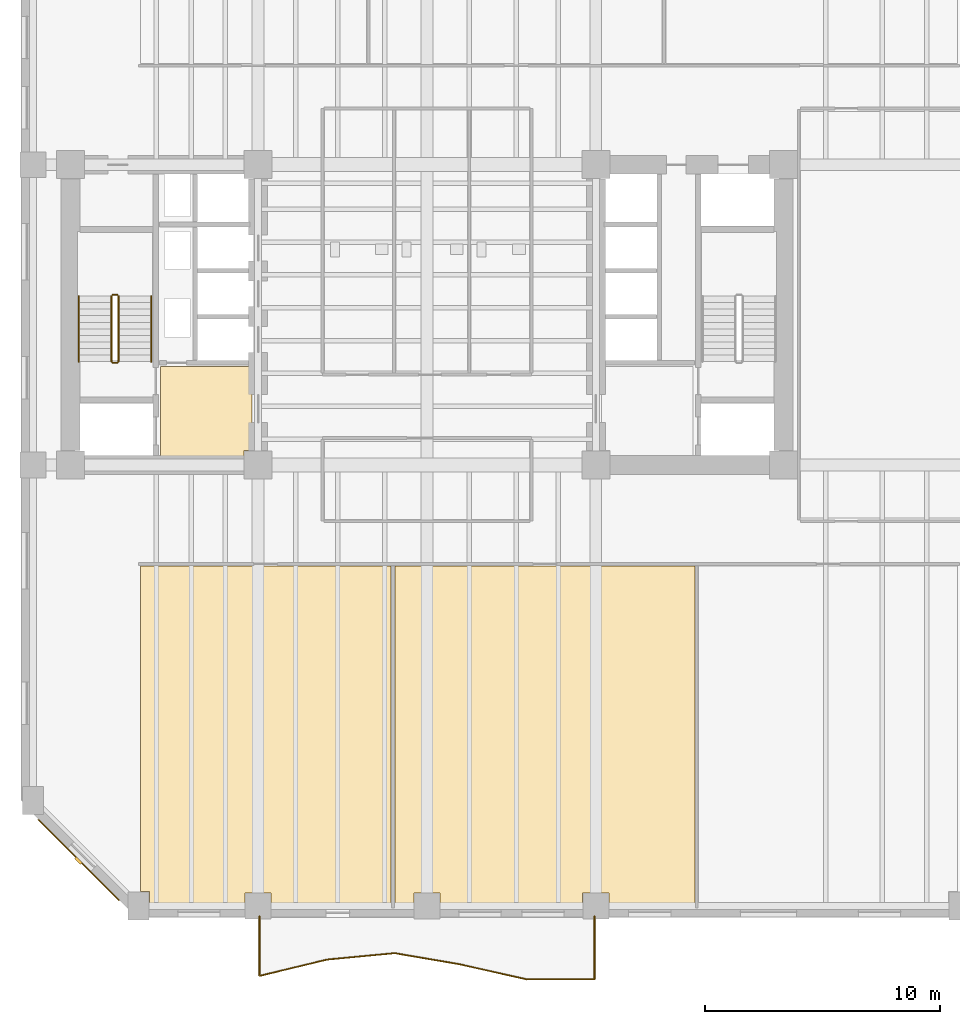
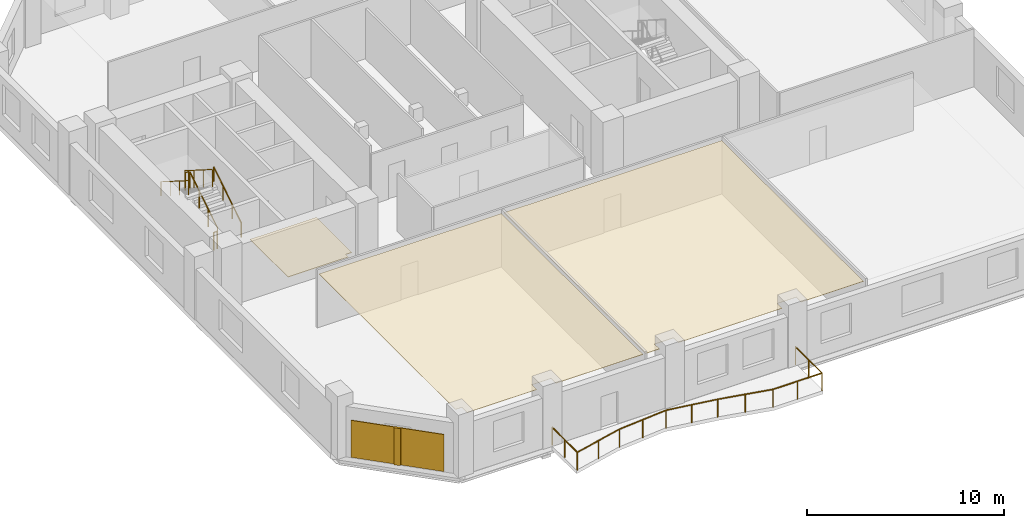
# One storey, part 6 of 9: 7 railings, 4 coverings, 1 shading device.
"""IFC4 building model written with IfcOpenShell, lengths in metres."""

import ifcopenshell
import ifcopenshell.guid

model = None  # the IFC model being written
_history = None  # IfcOwnerHistory: only IFC2X3 demands one
_inside = {}  # id of a spatial element -> (the spatial element, [elements in it])
_under = {}  # id of a project, library or spatial element -> (it, [spatial elements below it])
_declared = {}  # id of a project -> (the project, [libraries it declares])
_typed = {}  # id of a type object -> (the type object, [elements of that type])
_made_of = {}  # id of a material, layer set ... -> (it, [elements and type objects made of it])


def new_model(schema):
    """Start an empty IFC model of exactly this schema.

    Asked for "IFC4X3", IfcOpenShell would pick the latest addendum, in which some entities
    have other attributes; the version numbers below select the first issue.
    IFC2X3 requires an IfcOwnerHistory on every rooted entity: one is made here for all.
    """
    global model, _history
    if schema == "IFC4X3":
        model = ifcopenshell.file(schema_version=(4, 3, 0, 0))
    else:
        model = ifcopenshell.file(schema=schema)
    _inside.clear()
    _under.clear()
    _declared.clear()
    _typed.clear()
    _made_of.clear()
    _history = None
    if model.schema == "IFC2X3":
        org = make("IfcOrganization", Name="unknown")
        user = make(
            "IfcPersonAndOrganization",
            ThePerson=make("IfcPerson", FamilyName="unknown"),
            TheOrganization=org,
        )
        app = make(
            "IfcApplication",
            ApplicationDeveloper=org,
            Version="unknown",
            ApplicationFullName="unknown",
            ApplicationIdentifier="unknown",
        )
        _history = make(
            "IfcOwnerHistory",
            OwningUser=user,
            OwningApplication=app,
            ChangeAction="ADDED",
            CreationDate=0,
        )
    return model


def make(cls, **values):
    """One entity of the class cls with the attributes given. An attribute that is None is left unset."""
    return model.create_entity(
        cls, **{name: value for name, value in values.items() if value is not None}
    )


def rooted(cls, **values):
    """An entity with a GlobalId (a new one), such as an element, a storey or a relation."""
    return make(cls, GlobalId=ifcopenshell.guid.new(), OwnerHistory=_history, **values)


def si_unit(unit_type, name, prefix=None):
    """IfcSIUnit, for example si_unit("LENGTHUNIT", "METRE", prefix="MILLI")."""
    return make("IfcSIUnit", UnitType=unit_type, Prefix=prefix, Name=name)


def assignment(units):
    """IfcUnitAssignment: the units of a project."""
    return None if units is None else make("IfcUnitAssignment", Units=units)


def point(xyz):
    """IfcCartesianPoint."""
    return None if xyz is None else make("IfcCartesianPoint", Coordinates=xyz)


def direction(xyz):
    """IfcDirection."""
    return None if xyz is None else make("IfcDirection", DirectionRatios=xyz)


def frame(location, z_axis=None, x_axis=None):
    """IfcAxis2Placement3D, a coordinate frame: its origin and axes. An axis left out is left unset."""
    return make(
        "IfcAxis2Placement3D",
        Location=point(location),
        Axis=direction(z_axis),
        RefDirection=direction(x_axis),
    )


def frame_2d(location, x_axis=None):
    """IfcAxis2Placement2D, a coordinate frame in the plane: its origin and x axis."""
    return make(
        "IfcAxis2Placement2D", Location=point(location), RefDirection=direction(x_axis)
    )


def origin():
    """The frame at (0, 0, 0) with its axes left unset."""
    return frame((0.0, 0.0, 0.0))


def origin_2d():
    """The frame at (0, 0) in the plane with its x axis left unset."""
    return frame_2d((0.0, 0.0))


def place(relative_to, where):
    """IfcLocalPlacement: puts the frame where relative to a parent placement (None: the world)."""
    return make(
        "IfcLocalPlacement", PlacementRelTo=relative_to, RelativePlacement=where
    )


def context(
    kind, dimensions, precision=None, world=None, true_north=None, identifier=None
):
    """IfcGeometricRepresentationContext, for example the 3D "Model" context."""
    return make(
        "IfcGeometricRepresentationContext",
        ContextIdentifier=identifier,
        ContextType=kind,
        CoordinateSpaceDimension=dimensions,
        Precision=precision,
        WorldCoordinateSystem=world,
        TrueNorth=true_north,
    )


def subcontext(parent, identifier, kind, view, scale=None):
    """IfcGeometricRepresentationSubContext, for example "Body" below "Model"."""
    return make(
        "IfcGeometricRepresentationSubContext",
        ContextIdentifier=identifier,
        ContextType=kind,
        ParentContext=parent,
        TargetScale=scale,
        TargetView=view,
    )


def project(units=None, contexts=None):
    """IfcProject with its units and contexts."""
    return rooted(
        "IfcProject",
        Name="project",
        RepresentationContexts=contexts,
        UnitsInContext=assignment(units),
    )


def spatial(cls, under=None, at=None, **own):
    """A site, building, storey or space (cls), placed at a placement, below another one or the project."""
    s = rooted(cls, ObjectPlacement=at, **own)
    if under is not None:
        _under.setdefault(under.id(), (under, []))[1].append(s)
    return s


def polyline(points):
    """IfcPolyline through the points."""
    return make("IfcPolyline", Points=[point(p) for p in points])


def profile(cls, at=None, kind="AREA", **sizes):
    """A parametric profile (cls). Its sizes go by their IFC names, for example OverallWidth=200.0."""
    return make(cls, ProfileType=kind, Position=at, **sizes)


def rectangle(**sizes):
    """IfcRectangleProfileDef."""
    return profile("IfcRectangleProfileDef", **sizes)


def circle(**sizes):
    """IfcCircleProfileDef."""
    return profile("IfcCircleProfileDef", **sizes)


def outline(outer, holes=None, kind="AREA"):
    """IfcArbitraryClosedProfileDef: a profile drawn as a closed curve; with holes, ...WithVoids."""
    if holes is None:
        return make("IfcArbitraryClosedProfileDef", ProfileType=kind, OuterCurve=outer)
    return make(
        "IfcArbitraryProfileDefWithVoids",
        ProfileType=kind,
        OuterCurve=outer,
        InnerCurves=holes,
    )


def extrude(swept, where, along, depth):
    """IfcExtrudedAreaSolid: the profile swept, set in the frame where, extruded along a direction by depth."""
    return make(
        "IfcExtrudedAreaSolid",
        SweptArea=swept,
        Position=where,
        ExtrudedDirection=direction(along),
        Depth=depth,
    )


def shape(context_of_items, identifier, shape_type, items):
    """IfcShapeRepresentation: the items that make up one representation, for example the "Body"."""
    return make(
        "IfcShapeRepresentation",
        ContextOfItems=context_of_items,
        RepresentationIdentifier=identifier,
        RepresentationType=shape_type,
        Items=items,
    )


def material(Name=None, Category=None):
    """IfcMaterial."""
    return make("IfcMaterial", Name=Name, Category=Category)


def layer(
    of_material, thickness, ventilated=None, Name=None, Category=None, Priority=None
):
    """IfcMaterialLayer: one layer of a wall or slab, of a material (None: an air gap)."""
    return make(
        "IfcMaterialLayer",
        Material=of_material,
        LayerThickness=thickness,
        IsVentilated=ventilated,
        Name=Name,
        Category=Category,
        Priority=Priority,
    )


def layer_set(layers, Name=None):
    """IfcMaterialLayerSet."""
    return make("IfcMaterialLayerSet", MaterialLayers=layers, LayerSetName=Name)


def made_of(thing, what):
    """Note that an element or type object is made of a material, layer set ...; save() writes the relation."""
    if what is not None:
        _made_of.setdefault(what.id(), (what, []))[1].append(thing)
    return thing


def type_object(cls, material=None, **own):
    """A type object (cls), such as IfcWallType, which elements share."""
    return made_of(rooted(cls, **own), material)


def element(
    cls,
    number,
    at=None,
    inside=None,
    cuts=None,
    type_object=None,
    material=None,
    context=None,
    identifier="Body",
    shape_type=None,
    held_by="IfcProductDefinitionShape",
    body=None,
    shapes=None,
    **own,
):
    """One element of the class cls, such as IfcWall. Its Tag is "e" and its number.

    at: its placement. inside: the storey or other place that contains it. cuts: it is an
    opening in that element (IfcRelVoidsElement). A single representation is given by context,
    identifier, shape_type and body (its items); several are given by shapes. held_by: the class
    of the entity that holds the representations. save() writes the other relations.
    """
    e = rooted(cls, Tag="e%d" % number, ObjectPlacement=at, **own)
    if body is not None:
        shapes = [shape(context, identifier, shape_type, body)]
    if shapes is not None:
        e.Representation = make(held_by, Representations=shapes)
    if inside is not None:
        _inside.setdefault(inside.id(), (inside, []))[1].append(e)
    if cuts is not None:
        rooted(
            "IfcRelVoidsElement", RelatingBuildingElement=cuts, RelatedOpeningElement=e
        )
    if type_object is not None:
        _typed.setdefault(type_object.id(), (type_object, []))[1].append(e)
    return made_of(e, material)


def aggregate(whole, parts):
    """IfcRelAggregates: a whole, such as a stair, and the parts it consists of."""
    return rooted("IfcRelAggregates", RelatingObject=whole, RelatedObjects=parts)


def save(model, path):
    """Write the relations noted so far, then the file.

    IfcRelAggregates (storeys below a building ...), IfcRelContainedInSpatialStructure (elements
    in a storey), IfcRelDefinesByType, IfcRelAssociatesMaterial and IfcRelDeclares: one each for
    every whole, place, type object, material and project.
    """
    for whole, parts in _under.values():
        aggregate(whole, parts)
    for where, things in _inside.values():
        rooted(
            "IfcRelContainedInSpatialStructure",
            RelatedElements=things,
            RelatingStructure=where,
        )
    for kind, things in _typed.values():
        rooted("IfcRelDefinesByType", RelatedObjects=things, RelatingType=kind)
    for what, things in _made_of.values():
        rooted("IfcRelAssociatesMaterial", RelatedObjects=things, RelatingMaterial=what)
    for by, libraries in _declared.values():
        rooted("IfcRelDeclares", RelatingContext=by, RelatedDefinitions=libraries)
    model.write(path)


model = new_model("IFC4")

# Units and contexts
model_context = context("Model", 3, precision=1e-05, world=origin(), true_north=direction((0.0, 1.0)))
body_context = subcontext(model_context, "Body", "Model", "MODEL_VIEW")
ifc_project = project(units=[si_unit("LENGTHUNIT", "METRE"), si_unit("AREAUNIT", "SQUARE_METRE"), si_unit("VOLUMEUNIT", "CUBIC_METRE"), si_unit("PLANEANGLEUNIT", "RADIAN"), si_unit("MASSUNIT", "GRAM", prefix="KILO")], contexts=[model_context])

# Site, building, storey
site_placement = place(None, origin())
site = spatial("IfcSite", under=ifc_project, at=site_placement, CompositionType="ELEMENT")
building_placement = place(site_placement, origin())
building = spatial("IfcBuilding", under=site, at=building_placement, Name="Kranthara Brick Stack", CompositionType="ELEMENT")
storey_placement = place(building_placement, frame((0.0, 0.0, 55.5)))
storey = spatial("IfcBuildingStorey", under=building, at=storey_placement, Name="L13", CompositionType="ELEMENT", Elevation=55.5)

# Coverings
ifc_material_1 = material(Name="Perforated mineral-fibre acoustic ceiling tile", Category="other")
ifc_layer_1 = layer(ifc_material_1, 0.02490234375)
ifc_layer_set_1 = layer_set([ifc_layer_1], Name="Perforated mineral-fibre acoustic ceiling tile")
covering_type_1 = type_object("IfcCoveringType", Name="COV-CEIL-ACOUSTIC", PredefinedType="CEILING", material=ifc_layer_set_1)
covering_1_placement = place(storey_placement, frame((0.0, 0.0, 3.330078125)))
element("IfcCovering", 1, at=covering_1_placement, inside=storey, type_object=covering_type_1, Name="L13 L13 Open Plan Workspace 1 Acoustic Ceiling", PredefinedType="CEILING", context=body_context, shape_type="SweptSolid", body=[
    extrude(outline(polyline([(26.469970703125, 16.47998046875), (26.469970703125, 2.070068359375), (21.360107421875, 2.070068359375), (21.360107421875, 2.56005859375), (20.239990234375, 2.56005859375), (20.239990234375, 2.070068359375), (16.159912109375, 2.070068359375), (16.159912109375, 2.610107421875), (15.780029296875, 2.610107421875), (15.780029296875, 16.47998046875), (26.469970703125, 16.47998046875)])), origin(), (0.0, 0.0, 1.0), 0.02490234375),
])
covering_2_placement = place(storey_placement, frame((0.0, 0.0, 3.330078125)))
element("IfcCovering", 2, at=covering_2_placement, inside=storey, type_object=covering_type_1, Name="L13 L13 Boardroom 2 Acoustic Ceiling", PredefinedType="CEILING", context=body_context, shape_type="SweptSolid", body=[
    extrude(outline(polyline([(26.6298828125, 16.47998046875), (39.419921875, 16.47998046875), (39.419921875, 2.070068359375), (35.760009765625, 2.070068359375), (35.760009765625, 2.56005859375), (34.639892578125, 2.56005859375), (34.639892578125, 2.070068359375), (28.56005859375, 2.070068359375), (28.56005859375, 2.56005859375), (27.43994140625, 2.56005859375), (27.43994140625, 2.070068359375), (26.6298828125, 2.070068359375), (26.6298828125, 16.47998046875)])), origin(), (0.0, 0.0, 1.0), 0.02490234375),
])
ifc_material_2 = material(Name="Warm buff kiln-fired brick slip rainscreen", Category="masonry")
ifc_layer_2 = layer(ifc_material_2, 0.044921875)
ifc_layer_set_2 = layer_set([ifc_layer_2], Name="Warm buff kiln-fired brick slip rainscreen")
covering_type_2 = type_object("IfcCoveringType", Name="COV-CLAD-BRICK", PredefinedType="CLADDING", material=ifc_layer_set_2)
covering_3_placement = place(storey_placement, frame((13.156494140625, 3.95654296875, 0.0498046875), z_axis=(0.0, 0.0, 1.0), x_axis=(-0.707106781187, 0.707106781187, 0.0)))
element("IfcCovering", 3, at=covering_3_placement, inside=storey, type_object=covering_type_2, Name="L13 Chamfer Brick Rainscreen Cladding SW", PredefinedType="CLADDING", context=body_context, shape_type="SweptSolid", body=[
    extrude(rectangle(XDim=4.876953125, YDim=0.044921875, at=origin_2d()), origin(), (0.0, 0.0, 1.0), 2.300048828125),
])
ifc_material_3 = material(Name="Honed terrazzo and porcelain floor finish", Category="stone")
ifc_layer_3 = layer(ifc_material_3, 0.030029296875)
ifc_layer_set_3 = layer_set([ifc_layer_3], Name="Honed terrazzo and porcelain floor finish")
covering_type_3 = type_object("IfcCoveringType", Name="COV-FLOR-STONE", PredefinedType="FLOORING", material=ifc_layer_set_3)
covering_4_placement = place(storey_placement, origin())
element("IfcCovering", 4, at=covering_4_placement, inside=storey, type_object=covering_type_3, Name="L13 Lift Lobby Stone Flooring", PredefinedType="FLOORING", context=body_context, shape_type="SweptSolid", body=[
    extrude(outline(polyline([(16.64990234375, 21.14990234375), (16.64990234375, 25.0), (20.550048828125, 25.0), (20.550048828125, 21.409912109375), (20.18994140625, 21.409912109375), (20.18994140625, 21.14990234375), (16.64990234375, 21.14990234375)])), origin(), (0.0, 0.0, 1.0), 0.030029296875),
])

# Railings
ifc_material_4 = material(Name="Bronze anodised aluminium and laminated glass balustrade", Category="aluminium")
railing_type_1 = type_object("IfcRailingType", Name="RL-BALC-1120", PredefinedType="BALUSTRADE", material=ifc_material_4)
railing_1_placement = place(storey_placement, frame((35.139892578125, 1.56005859375, 0.0)))
element("IfcRailing", 5, at=railing_1_placement, inside=storey, type_object=railing_type_1, Name="L13 South Rippling Balcony Balustrade", PredefinedType="BALUSTRADE", context=body_context, shape_type="SweptSolid", body=[
    extrude(circle(Radius=0.02392578125, at=origin_2d()), frame((0.0, 0.0, 1.09619140625), z_axis=(0.000272430066, -0.999999962891, 0.0), x_axis=(0.999999962891, 0.000272430066, 0.0)), (0.0, 0.0, 1.0), 2.6884765625),
    extrude(circle(Radius=0.02392578125, at=origin_2d()), frame((0.000732421875, -2.6884765625, 1.09619140625), z_axis=(-0.999997752635, -0.002120076647, 0.0), x_axis=(0.002120076647, -0.999997752635, 0.0)), (0.0, 0.0, 1.0), 2.87890625),
    extrude(circle(Radius=0.02392578125, at=origin_2d()), frame((-2.878173828125, -2.694580078125, 1.09619140625), z_axis=(-0.975646939441, 0.219346870413, 0.0), x_axis=(-0.219346870413, -0.975646939441, 0.0)), (0.0, 0.0, 1.0), 2.95166015625),
    extrude(circle(Radius=0.02392578125, at=origin_2d()), frame((-5.758056640625, -2.047119140625, 1.09619140625), z_axis=(-0.985729020819, 0.168339827475, 0.0), x_axis=(-0.168339827475, -0.985729020819, 0.0)), (0.0, 0.0, 1.0), 2.802001953125),
    extrude(circle(Radius=0.02392578125, at=origin_2d()), frame((-8.52001953125, -1.575439453125, 1.09619140625), z_axis=(-0.995490919955, -0.094856883183, 0.0), x_axis=(0.094856883183, -0.995490919955, 0.0)), (0.0, 0.0, 1.0), 2.892822265625),
    extrude(circle(Radius=0.02392578125, at=origin_2d()), frame((-11.39990234375, -1.849853515625, 1.09619140625), z_axis=(-0.972059523118, -0.234734495793, 0.0), x_axis=(0.234734495793, -0.972059523118, 0.0)), (0.0, 0.0, 1.0), 2.963134765625),
    extrude(circle(Radius=0.02392578125, at=origin_2d()), frame((-14.2802734375, -2.54541015625, 1.09619140625), z_axis=(0.000191828118, 0.999999981601, 0.0), x_axis=(-0.999999981601, 0.000191828118, 0.0)), (0.0, 0.0, 1.0), 2.54541015625),
    extrude(circle(Radius=0.02099609375, at=origin_2d()), origin(), (0.0, 0.0, 1.0), 1.072021484375),
    extrude(circle(Radius=0.02099609375, at=origin_2d()), frame((0.00048828125, -1.34423828125, 0.0)), (0.0, 0.0, 1.0), 1.072021484375),
    extrude(circle(Radius=0.02099609375, at=origin_2d()), frame((0.000732421875, -2.6884765625, 0.0)), (0.0, 0.0, 1.0), 1.072021484375),
    extrude(circle(Radius=0.02099609375, at=origin_2d()), frame((-1.438720703125, -2.69140625, 0.0)), (0.0, 0.0, 1.0), 1.072021484375),
    extrude(circle(Radius=0.02099609375, at=origin_2d()), frame((-2.878173828125, -2.694580078125, 0.0)), (0.0, 0.0, 1.0), 1.072021484375),
    extrude(circle(Radius=0.02099609375, at=origin_2d()), frame((-4.318115234375, -2.370849609375, 0.0)), (0.0, 0.0, 1.0), 1.072021484375),
    extrude(circle(Radius=0.02099609375, at=origin_2d()), frame((-5.758056640625, -2.047119140625, 0.0)), (0.0, 0.0, 1.0), 1.072021484375),
    extrude(circle(Radius=0.02099609375, at=origin_2d()), frame((-7.13916015625, -1.811279296875, 0.0)), (0.0, 0.0, 1.0), 1.072021484375),
    extrude(circle(Radius=0.02099609375, at=origin_2d()), frame((-8.52001953125, -1.575439453125, 0.0)), (0.0, 0.0, 1.0), 1.072021484375),
    extrude(circle(Radius=0.02099609375, at=origin_2d()), frame((-9.9599609375, -1.712646484375, 0.0)), (0.0, 0.0, 1.0), 1.072021484375),
    extrude(circle(Radius=0.02099609375, at=origin_2d()), frame((-11.39990234375, -1.849853515625, 0.0)), (0.0, 0.0, 1.0), 1.072021484375),
    extrude(circle(Radius=0.02099609375, at=origin_2d()), frame((-12.840087890625, -2.19775390625, 0.0)), (0.0, 0.0, 1.0), 1.072021484375),
    extrude(circle(Radius=0.02099609375, at=origin_2d()), frame((-14.2802734375, -2.54541015625, 0.0)), (0.0, 0.0, 1.0), 1.072021484375),
    extrude(circle(Radius=0.02099609375, at=origin_2d()), frame((-14.280029296875, -1.272705078125, 0.0)), (0.0, 0.0, 1.0), 1.072021484375),
    extrude(circle(Radius=0.02099609375, at=origin_2d()), frame((-14.27978515625, 0.0, 0.0)), (0.0, 0.0, 1.0), 1.072021484375),
])
ifc_material_5 = material(Name="Painted galvanized steel stair guardrail", Category="steel")
railing_type_2 = type_object("IfcRailingType", Name="RL-STAIR-GUARD-1100", PredefinedType="GUARDRAIL", material=ifc_material_5)
railing_2_placement = place(storey_placement, frame((14.85009765625, 25.199951171875, 0.17724609375)))
element("IfcRailing", 6, at=railing_2_placement, inside=storey, type_object=railing_type_2, Name="L13 ST01 stair guard 1", PredefinedType="GUARDRAIL", context=body_context, shape_type="SweptSolid", body=[
    extrude(circle(Radius=0.02392578125, at=origin_2d()), frame((0.0, 0.0, 1.076171875), z_axis=(0.0, 0.844908973607, 0.534910110503), x_axis=(-1.0, 0.0, 0.0)), (0.0, 0.0, 1.0), 3.31396484375),
    extrude(circle(Radius=0.02099609375, at=origin_2d()), origin(), (0.0, 0.0, 1.0), 1.052001953125),
    extrude(circle(Radius=0.02099609375, at=origin_2d()), frame((0.0, 0.933349609375, 0.5908203125)), (0.0, 0.0, 1.0), 1.052001953125),
    extrude(circle(Radius=0.02099609375, at=origin_2d()), frame((0.0, 1.86669921875, 1.181884765625)), (0.0, 0.0, 1.0), 1.052001953125),
    extrude(circle(Radius=0.02099609375, at=origin_2d()), frame((0.0, 2.800048828125, 1.772705078125)), (0.0, 0.0, 1.0), 1.052001953125),
])
railing_3_placement = place(storey_placement, frame((14.800048828125, 28.050048828125, 1.949951171875)))
element("IfcRailing", 7, at=railing_3_placement, inside=storey, type_object=railing_type_2, Name="L13 ST01 stair guard 2", PredefinedType="GUARDRAIL", context=body_context, shape_type="SweptSolid", body=[
    extrude(circle(Radius=0.02392578125, at=origin_2d()), frame((0.0, 0.0, 1.076171875), z_axis=(-1.0, 0.0, 0.0), x_axis=(0.0, -1.0, 0.0)), (0.0, 0.0, 1.0), 0.199951171875),
    extrude(circle(Radius=0.02099609375, at=origin_2d()), origin(), (0.0, 0.0, 1.0), 1.052001953125),
    extrude(circle(Radius=0.02099609375, at=origin_2d()), frame((-0.199951171875, 0.0, 0.0)), (0.0, 0.0, 1.0), 1.052001953125),
])
railing_4_placement = place(storey_placement, frame((14.550048828125, 28.0, 2.127197265625)))
element("IfcRailing", 8, at=railing_4_placement, inside=storey, type_object=railing_type_2, Name="L13 ST01 stair guard 3", PredefinedType="GUARDRAIL", context=body_context, shape_type="SweptSolid", body=[
    extrude(circle(Radius=0.02392578125, at=origin_2d()), frame((0.0, 0.0, 1.076171875), z_axis=(0.0, -0.844908973607, 0.534910110503), x_axis=(1.0, 0.0, 0.0)), (0.0, 0.0, 1.0), 3.31396484375),
    extrude(circle(Radius=0.02099609375, at=origin_2d()), origin(), (0.0, 0.0, 1.0), 1.052001953125),
    extrude(circle(Radius=0.02099609375, at=origin_2d()), frame((0.0, -0.933349609375, 0.5908203125)), (0.0, 0.0, 1.0), 1.052001953125),
    extrude(circle(Radius=0.02099609375, at=origin_2d()), frame((0.0, -1.86669921875, 1.181884765625)), (0.0, 0.0, 1.0), 1.052001953125),
    extrude(circle(Radius=0.02099609375, at=origin_2d()), frame((0.0, -2.800048828125, 1.772705078125)), (0.0, 0.0, 1.0), 1.052001953125),
])
railing_5_placement = place(storey_placement, frame((14.800048828125, 25.14990234375, 0.0)))
element("IfcRailing", 9, at=railing_5_placement, inside=storey, type_object=railing_type_2, Name="L13 ST01 stair guard 4", PredefinedType="GUARDRAIL", context=body_context, shape_type="SweptSolid", body=[
    extrude(circle(Radius=0.02392578125, at=origin_2d()), frame((0.0, 0.0, 1.076171875), z_axis=(-1.0, 0.0, 0.0), x_axis=(0.0, -1.0, 0.0)), (0.0, 0.0, 1.0), 0.199951171875),
    extrude(circle(Radius=0.02099609375, at=origin_2d()), origin(), (0.0, 0.0, 1.0), 1.052001953125),
    extrude(circle(Radius=0.02099609375, at=origin_2d()), frame((-0.199951171875, 0.0, 0.0)), (0.0, 0.0, 1.0), 1.052001953125),
])
ifc_material_6 = material(Name="Brushed stainless steel tubular handrail", Category="steel")
railing_type_3 = type_object("IfcRailingType", Name="RL-STAIR-HAND-900", PredefinedType="HANDRAIL", material=ifc_material_6)
railing_6_placement = place(storey_placement, frame((16.25, 25.199951171875, 0.17724609375)))
element("IfcRailing", 10, at=railing_6_placement, inside=storey, type_object=railing_type_3, Name="L13 ST01 stair handrail 1", PredefinedType="HANDRAIL", context=body_context, shape_type="SweptSolid", body=[
    extrude(circle(Radius=0.02392578125, at=origin_2d()), frame((0.0, 0.0, 0.8759765625), z_axis=(0.0, 0.844908973607, 0.534910110503), x_axis=(-1.0, 0.0, 0.0)), (0.0, 0.0, 1.0), 3.31396484375),
    extrude(circle(Radius=0.02099609375, at=origin_2d()), origin(), (0.0, 0.0, 1.0), 0.851806640625),
    extrude(circle(Radius=0.02099609375, at=origin_2d()), frame((0.0, 0.933349609375, 0.5908203125)), (0.0, 0.0, 1.0), 0.851806640625),
    extrude(circle(Radius=0.02099609375, at=origin_2d()), frame((0.0, 1.86669921875, 1.181884765625)), (0.0, 0.0, 1.0), 0.851806640625),
    extrude(circle(Radius=0.02099609375, at=origin_2d()), frame((0.0, 2.800048828125, 1.772705078125)), (0.0, 0.0, 1.0), 0.851806640625),
])
railing_7_placement = place(storey_placement, frame((13.14990234375, 28.0, 2.127197265625)))
element("IfcRailing", 11, at=railing_7_placement, inside=storey, type_object=railing_type_3, Name="L13 ST01 stair handrail 2", PredefinedType="HANDRAIL", context=body_context, shape_type="SweptSolid", body=[
    extrude(circle(Radius=0.02392578125, at=origin_2d()), frame((0.0, 0.0, 0.8759765625), z_axis=(0.0, -0.844908973607, 0.534910110503), x_axis=(1.0, 0.0, 0.0)), (0.0, 0.0, 1.0), 3.31396484375),
    extrude(circle(Radius=0.02099609375, at=origin_2d()), origin(), (0.0, 0.0, 1.0), 0.851806640625),
    extrude(circle(Radius=0.02099609375, at=origin_2d()), frame((0.0, -0.933349609375, 0.5908203125)), (0.0, 0.0, 1.0), 0.851806640625),
    extrude(circle(Radius=0.02099609375, at=origin_2d()), frame((0.0, -1.86669921875, 1.181884765625)), (0.0, 0.0, 1.0), 0.851806640625),
    extrude(circle(Radius=0.02099609375, at=origin_2d()), frame((0.0, -2.800048828125, 1.772705078125)), (0.0, 0.0, 1.0), 0.851806640625),
])

# Shading device
ifc_material_7 = material(Name="Kiln-fired terracotta aerodynamic wind fin", Category="masonry")
shading_device_type = type_object("IfcShadingDeviceType", Name="SHD-BAFFLE-CORNER", PredefinedType="SHUTTER", material=ifc_material_7)
shading_device_placement = place(storey_placement, frame((13.13525390625, 3.935302734375, 0.0498046875), z_axis=(0.0, 0.0, 1.0), x_axis=(-0.707106781187, 0.707106781187, 0.0)))
element("IfcShadingDevice", 12, at=shading_device_placement, inside=storey, type_object=shading_device_type, Name="L13 Chamfer Wind-Baffle Fin SW", PredefinedType="SHUTTER", context=body_context, shape_type="SweptSolid", body=[
    extrude(rectangle(XDim=0.35009765625, YDim=0.1201171875, at=origin_2d()), origin(), (0.0, 0.0, 1.0), 2.300048828125),
])

save(model, "model.ifc")
